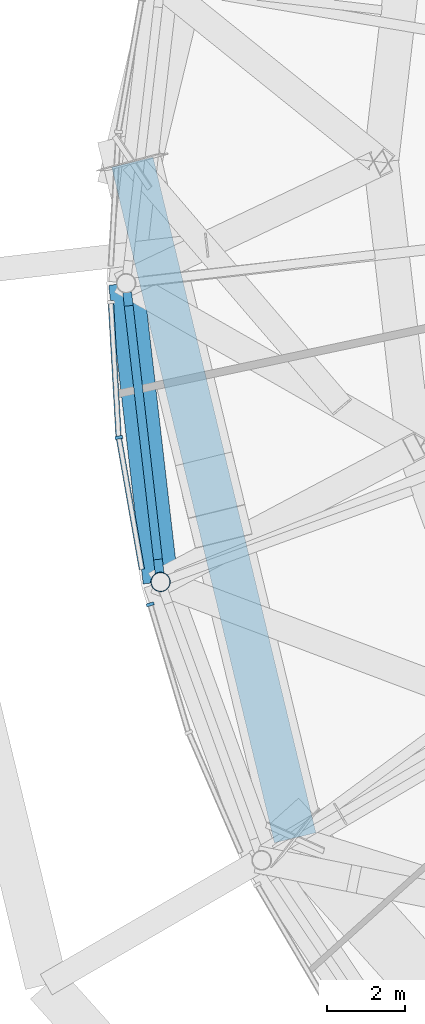
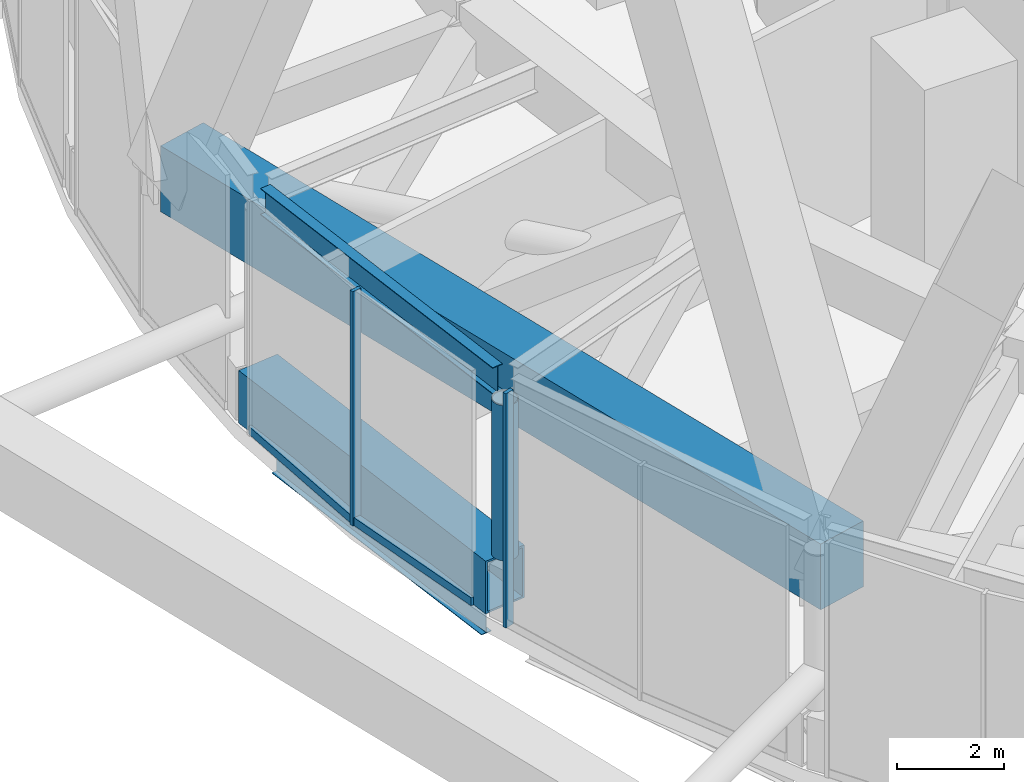
# One storey, part 10 of 49: 6 members, 3 beams, 3 elements without a shape of their own.
"""IFC4 building model written with IfcOpenShell, lengths in metres."""

from ifc_helpers import new_model, si_unit, direction, frame, origin, origin_2d, place, context, subcontext, project, spatial, rectangle, hollow_rectangle, hollow_circle, i_section, extrude, material, layer, layer_set, material_profile, profile_set, type_object, element, aggregate, save


model = new_model("IFC4")

# Units and contexts
model_context = context("Model", 3, precision=1e-05, world=origin(), true_north=direction((0.0, 1.0)))
body_context = subcontext(model_context, "Body", "Model", "MODEL_VIEW")
ifc_project = project(units=[si_unit("LENGTHUNIT", "METRE"), si_unit("AREAUNIT", "SQUARE_METRE"), si_unit("VOLUMEUNIT", "CUBIC_METRE"), si_unit("PLANEANGLEUNIT", "RADIAN"), si_unit("MASSUNIT", "GRAM", prefix="KILO")], contexts=[model_context])

# Site, building, storey
site_placement = place(None, origin())
site = spatial("IfcSite", under=ifc_project, at=site_placement, CompositionType="ELEMENT")
building_placement = place(site_placement, origin())
building = spatial("IfcBuilding", under=site, at=building_placement, Name="Nagisa Residences", CompositionType="ELEMENT")
storey_placement = place(building_placement, frame((0.0, 0.0, 160.300048828125)))
storey = spatial("IfcBuildingStorey", under=building, at=storey_placement, Name="L40", CompositionType="ELEMENT", Elevation=160.300048828125)

# Beam
ifc_material_1 = material(Name="Steel ASTM A572 Gr 50", Category="steel")
ifc_material_profile_1 = material_profile(ifc_material_1, hollow_rectangle(XDim=0.89990234375, YDim=1.199951171875, WallThickness=0.044921875, at=origin_2d()), Name="BX 900x1200x45")
ifc_profile_set_1 = profile_set([ifc_material_profile_1], Name="Steel ASTM A572 Gr 50")
beam_type_1 = type_object("IfcBeamType", Name="Belt chord 3 BX 900x1200x45", PredefinedType="BEAM", material=ifc_profile_set_1)
beam_1_placement = place(storey_placement, frame((-27.8349609375, -3.11767578125, 0.599853515625), z_axis=(0.114645667897, -0.993406447952, 0.0), x_axis=(0.993406447952, 0.114645667897, 0.0)))
element("IfcBeam", 1, at=beam_1_placement, inside=storey, type_object=beam_type_1, Name="beam:L40:bt3b13", PredefinedType="BEAM", context=body_context, shape_type="SweptSolid", body=[
    extrude(hollow_rectangle(XDim=0.89990234375, YDim=1.199951171875, WallThickness=0.044921875, at=origin_2d()), origin(), (0.0, 0.0, 1.0), 7.736572265625),
])

# Curtain wall, member
ifc_material_2 = material(Name="Aluminium curtain wall system", Category="aluminium")
ifc_layer = layer(ifc_material_2, 0.159912109375)
ifc_layer_set = layer_set([ifc_layer], Name="CW2 CURTAIN WALL")
curtain_wall_type = type_object("IfcCurtainWallType", Name="CW2 CURTAIN WALL", PredefinedType="NOTDEFINED", material=ifc_layer_set)
curtain_wall_1_placement = place(storey_placement, origin())
curtain_wall_1 = element("IfcCurtainWall", 2, at=curtain_wall_1_placement, inside=storey, type_object=curtain_wall_type, Name="cw:CW2:L40:25", PredefinedType="NOTDEFINED")
ifc_material_3 = material(Name="Aluminium", Category="aluminium")
ifc_material_profile_2 = material_profile(ifc_material_3, rectangle(XDim=0.199951171875, YDim=0.080078125, at=origin_2d()), Name="CW2 MULLION 200x80")
ifc_profile_set_2 = profile_set([ifc_material_profile_2], Name="Aluminium")
member_type_1 = type_object("IfcMemberType", Name="CW2 MULLION 200x80", PredefinedType="MULLION", material=ifc_profile_set_2)
member_1_placement = place(storey_placement, frame((-28.022216796875, -7.08447265625, 0.0), z_axis=(0.0, 0.0, 1.0), x_axis=(0.985063604377, 0.172190868898, 0.0)))
member_1 = element("IfcMember", 3, at=member_1_placement, type_object=member_type_1, Name="CW2 mullion", PredefinedType="MULLION", context=body_context, shape_type="SweptSolid", body=[
    extrude(rectangle(XDim=0.199951171875, YDim=0.080078125, at=origin_2d()), origin(), (0.0, 0.0, 1.0), 5.33984375),
])

curtain_wall_2_placement = place(storey_placement, origin())
curtain_wall_2 = element("IfcCurtainWall", 4, at=curtain_wall_2_placement, inside=storey, type_object=curtain_wall_type, Name="cw:CW2:L40:26", PredefinedType="NOTDEFINED")
member_2_placement = place(storey_placement, frame((-27.214111328125, -11.37939453125, 0.0), z_axis=(0.0, 0.0, 1.0), x_axis=(0.958271310082, 0.285860274038, 0.0)))
member_2 = element("IfcMember", 5, at=member_2_placement, type_object=member_type_1, Name="CW2 mullion", PredefinedType="MULLION", context=body_context, shape_type="SweptSolid", body=[
    extrude(rectangle(XDim=0.199951171875, YDim=0.080078125, at=origin_2d()), origin(), (0.0, 0.0, 1.0), 5.33984375),
])
aggregate(curtain_wall_2, [member_2])

curtain_wall_3_placement = place(storey_placement, origin())
curtain_wall_3 = element("IfcCurtainWall", 6, at=curtain_wall_3_placement, inside=storey, type_object=curtain_wall_type, Name="cw:CW2:L40:24", PredefinedType="NOTDEFINED")
ifc_material_4 = material(Name="Aluminium", Category="aluminium")
ifc_material_profile_3 = material_profile(ifc_material_4, rectangle(XDim=0.139892578125, YDim=0.179931640625, at=origin_2d()), Name="CW2 TRANSOM 140x180")
ifc_profile_set_3 = profile_set([ifc_material_profile_3], Name="Aluminium")
member_type_2 = type_object("IfcMemberType", Name="CW2 TRANSOM 140x180", PredefinedType="USERDEFINED", material=ifc_profile_set_3)
member_3_placement = place(storey_placement, frame((-28.229248046875, -3.562255859375, 0.08984375), z_axis=(0.057510918553, -0.998344877408, 0.0), x_axis=(0.998344877408, 0.057510918553, 0.0)))
member_3 = element("IfcMember", 7, at=member_3_placement, type_object=member_type_2, Name="CW2 transom", ObjectType="TRANSOM", PredefinedType="USERDEFINED", context=body_context, shape_type="SweptSolid", body=[
    extrude(rectangle(XDim=0.139892578125, YDim=0.179931640625, at=origin_2d()), origin(), (0.0, 0.0, 1.0), 3.498046875),
])
aggregate(curtain_wall_3, [member_3])

# Member
member_4_placement = place(storey_placement, frame((-28.029296875, -7.045166015625, 0.08984375), z_axis=(0.172249387138, -0.985053373493, 0.0), x_axis=(0.985053373493, 0.172249387138, 0.0)))
member_4 = element("IfcMember", 8, at=member_4_placement, type_object=member_type_2, Name="CW2 transom", ObjectType="TRANSOM", PredefinedType="USERDEFINED", context=body_context, shape_type="SweptSolid", body=[
    extrude(rectangle(XDim=0.139892578125, YDim=0.179931640625, at=origin_2d()), origin(), (0.0, 0.0, 1.0), 3.482421875),
])

aggregate(curtain_wall_1, [member_1, member_4])

ifc_material_5 = material(Name="Concrete C80", Category="concrete")
ifc_material_profile_4 = material_profile(ifc_material_5, rectangle(XDim=1.10009765625, YDim=1.5, at=origin_2d()), Name="C80 1100x1500")
ifc_profile_set_4 = profile_set([ifc_material_profile_4], Name="Concrete C80")
member_type_3 = type_object("IfcMemberType", Name="Cage ring 4 C80 1100x1500", PredefinedType="CHORD", material=ifc_profile_set_4)
member_5_placement = place(storey_placement, frame((-27.675048828125, 0.0, 3.699951171875), z_axis=(0.234282017456, -0.972168676875, 0.0), x_axis=(0.972168676875, 0.234282017456, 0.0)))
element("IfcMember", 9, at=member_5_placement, inside=storey, type_object=member_type_3, Name="beam:L40:cg4r007", PredefinedType="CHORD", context=body_context, shape_type="SweptSolid", body=[
    extrude(rectangle(XDim=1.10009765625, YDim=1.5, at=origin_2d()), origin(), (0.0, 0.0, 1.0), 17.88525390625),
])

# Beam
ifc_material_6 = material(Name="Steel ASTM A572 Gr 50", Category="steel")
ifc_material_profile_5 = material_profile(ifc_material_6, i_section(OverallWidth=0.22802734375, OverallDepth=0.60302734375, WebThickness=0.010498046875, FlangeThickness=0.014892578125, at=origin_2d()), Name="W610x101")
ifc_profile_set_5 = profile_set([ifc_material_profile_5], Name="Steel ASTM A572 Gr 50")
beam_type_2 = type_object("IfcBeamType", Name="Garden edge beam W610x101", PredefinedType="BEAM", material=ifc_profile_set_5)
beam_2_placement = place(storey_placement, frame((-27.80810546875, -3.35009765625, 5.038330078125), z_axis=(0.114670003519, -0.993403639158, 0.0), x_axis=(0.993403639158, 0.114670003519, 0.0)))
element("IfcBeam", 10, at=beam_2_placement, inside=storey, type_object=beam_type_2, Name="beam:L40:bt3ge13", PredefinedType="BEAM", context=body_context, shape_type="SweptSolid", body=[
    extrude(i_section(OverallWidth=0.22802734375, OverallDepth=0.60302734375, WebThickness=0.010498046875, FlangeThickness=0.014892578125, at=origin_2d()), origin(), (0.0, 0.0, 1.0), 7.2685546875),
])

# Member
ifc_material_7 = material(Name="Steel ASTM A572 Gr 65", Category="steel")
ifc_material_profile_6 = material_profile(ifc_material_7, hollow_circle(Radius=0.25390625, WallThickness=0.02001953125, at=origin_2d()), Name="CHS 508x20")
ifc_profile_set_6 = profile_set([ifc_material_profile_6], Name="Steel ASTM A572 Gr 65")
member_type_4 = type_object("IfcMemberType", Name="Garden edge post CHS 508x20", PredefinedType="POST", material=ifc_profile_set_6)
member_6_placement = place(storey_placement, frame((-26.947998046875, -10.80322265625, 1.199951171875), z_axis=(0.0, 0.0, 1.0), x_axis=(1.0, 0.0, 0.0)))
element("IfcMember", 11, at=member_6_placement, inside=storey, type_object=member_type_4, Name="mem:L40:gp314", PredefinedType="POST", context=body_context, shape_type="SweptSolid", body=[
    extrude(hollow_circle(Radius=0.25390625, WallThickness=0.02001953125, at=origin_2d()), origin(), (0.0, 0.0, 1.0), 3.537109375),
])

# Beam
ifc_material_8 = material(Name="Steel ASTM A572 Gr 50", Category="steel")
ifc_material_profile_7 = material_profile(ifc_material_8, i_section(OverallWidth=0.22802734375, OverallDepth=0.60302734375, WebThickness=0.010498046875, FlangeThickness=0.014892578125, at=origin_2d()), Name="W610x101")
ifc_profile_set_7 = profile_set([ifc_material_profile_7], Name="Steel ASTM A572 Gr 50")
beam_type_3 = type_object("IfcBeamType", Name="Perimeter ring beam W610x101", PredefinedType="BEAM", material=ifc_profile_set_7)
beam_3_placement = place(storey_placement, frame((-27.76806640625, -3.69775390625, -0.651611328125), z_axis=(0.114660786771, -0.993404703017, 0.0), x_axis=(0.993404703017, 0.114660786771, 0.0)))
element("IfcBeam", 12, at=beam_3_placement, inside=storey, type_object=beam_type_3, Name="beam:L40:pb13", PredefinedType="BEAM", context=body_context, shape_type="SweptSolid", body=[
    extrude(i_section(OverallWidth=0.22802734375, OverallDepth=0.60302734375, WebThickness=0.010498046875, FlangeThickness=0.014892578125, at=origin_2d()), origin(), (0.0, 0.0, 1.0), 6.568603515625),
])

save(model, "model.ifc")
